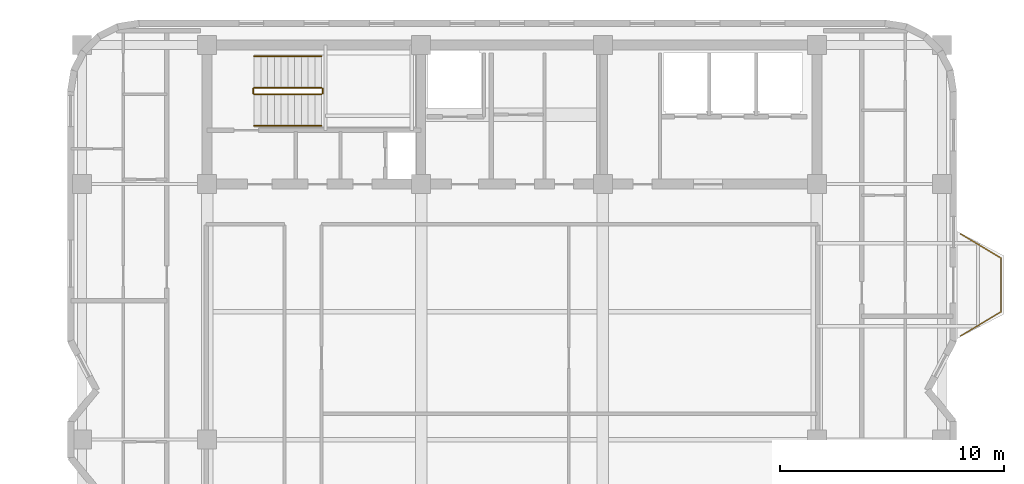
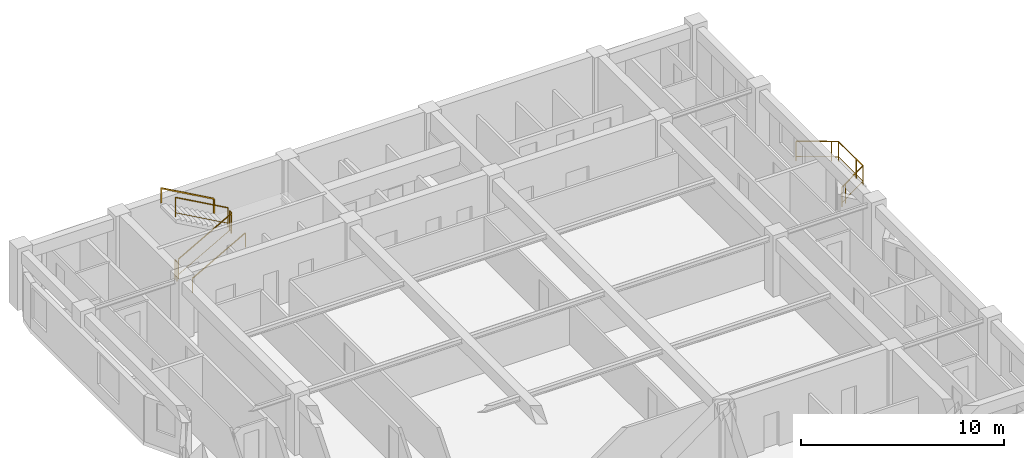
# One storey, part 9 of 9: 7 railings.
"""IFC4 building model written with IfcOpenShell, lengths in metres."""

from ifc_helpers import new_model, si_unit, direction, frame, origin, origin_2d, place, context, subcontext, project, spatial, rectangle, extrude, material, type_object, element, save


model = new_model("IFC4")

# Units and contexts
model_context = context("Model", 3, precision=1e-05, world=origin(), true_north=direction((0.0, 1.0)))
body_context = subcontext(model_context, "Body", "Model", "MODEL_VIEW")
ifc_project = project(units=[si_unit("LENGTHUNIT", "METRE"), si_unit("AREAUNIT", "SQUARE_METRE"), si_unit("VOLUMEUNIT", "CUBIC_METRE"), si_unit("PLANEANGLEUNIT", "RADIAN"), si_unit("MASSUNIT", "GRAM", prefix="KILO")], contexts=[model_context])

# Site, building, storey
site_placement = place(None, origin())
site = spatial("IfcSite", under=ifc_project, at=site_placement, CompositionType="ELEMENT")
building_placement = place(site_placement, origin())
building = spatial("IfcBuilding", under=site, at=building_placement, Name="Svetorya Sky Lyceum", CompositionType="ELEMENT")
storey_placement = place(building_placement, frame((0.0, 0.0, 240.60009765625)))
storey = spatial("IfcBuildingStorey", under=building, at=storey_placement, Name="L60", CompositionType="ELEMENT", Elevation=240.60009765625)

# Railings
ifc_material_1 = material(Name="Laminated safety glass and stainless AISI 316", Category="glass")
railing_type_1 = type_object("IfcRailingType", Name="RL-BAL-1200", PredefinedType="BALUSTRADE", material=ifc_material_1)
railing_1_placement = place(storey_placement, frame((59.2099609375, 37.3798828125, 0.0)))
element("IfcRailing", 1, at=railing_1_placement, inside=storey, type_object=railing_type_1, Name="L60 Balcony Balustrade BAL-E1", PredefinedType="BALUSTRADE", context=body_context, shape_type="SweptSolid", body=[
    extrude(rectangle(XDim=0.048095703125, YDim=0.048095703125, at=origin_2d()), frame((0.0, 0.0, 1.17578125), z_axis=(0.85753397263, -0.514427337711, 0.0), x_axis=(0.514427337711, 0.85753397263, 0.0)), (0.0, 0.0, 1.0), 2.09912109375),
    extrude(rectangle(XDim=0.02392578125, YDim=0.02392578125, at=origin_2d()), frame((0.0, 0.0, 0.25), z_axis=(0.85753397263, -0.514427337711, 0.0), x_axis=(0.514427337711, 0.85753397263, 0.0)), (0.0, 0.0, 1.0), 2.09912109375),
    extrude(rectangle(XDim=0.048095703125, YDim=0.048095703125, at=origin_2d()), frame((1.800048828125, -1.079833984375, 1.17578125), z_axis=(0.0, -1.0, 0.0), x_axis=(1.0, 0.0, 0.0)), (0.0, 0.0, 1.0), 2.400146484375),
    extrude(rectangle(XDim=0.02392578125, YDim=0.02392578125, at=origin_2d()), frame((1.800048828125, -1.079833984375, 0.25), z_axis=(0.0, -1.0, 0.0), x_axis=(1.0, 0.0, 0.0)), (0.0, 0.0, 1.0), 2.400146484375),
    extrude(rectangle(XDim=0.048095703125, YDim=0.048095703125, at=origin_2d()), frame((1.800048828125, -3.47998046875, 1.17578125), z_axis=(-0.85753397263, -0.514427337711, 0.0), x_axis=(0.514427337711, -0.85753397263, 0.0)), (0.0, 0.0, 1.0), 2.09912109375),
    extrude(rectangle(XDim=0.02392578125, YDim=0.02392578125, at=origin_2d()), frame((1.800048828125, -3.47998046875, 0.25), z_axis=(-0.85753397263, -0.514427337711, 0.0), x_axis=(0.514427337711, -0.85753397263, 0.0)), (0.0, 0.0, 1.0), 2.09912109375),
    extrude(rectangle(XDim=0.0419921875, YDim=0.0419921875, at=origin_2d()), origin(), (0.0, 0.0, 1.0), 1.15185546875),
    extrude(rectangle(XDim=0.0419921875, YDim=0.0419921875, at=origin_2d()), frame((1.500732421875, -0.900146484375, 0.0)), (0.0, 0.0, 1.0), 1.15185546875),
    extrude(rectangle(XDim=0.0419921875, YDim=0.0419921875, at=origin_2d()), frame((1.800048828125, -1.079833984375, 0.0)), (0.0, 0.0, 1.0), 1.15185546875),
    extrude(rectangle(XDim=0.0419921875, YDim=0.0419921875, at=origin_2d()), frame((1.800048828125, -2.829833984375, 0.0)), (0.0, 0.0, 1.0), 1.15185546875),
    extrude(rectangle(XDim=0.0419921875, YDim=0.0419921875, at=origin_2d()), frame((1.800048828125, -3.47998046875, 0.0)), (0.0, 0.0, 1.0), 1.15185546875),
    extrude(rectangle(XDim=0.0419921875, YDim=0.0419921875, at=origin_2d()), frame((0.29931640625, -4.380126953125, 0.0)), (0.0, 0.0, 1.0), 1.15185546875),
    extrude(rectangle(XDim=0.0419921875, YDim=0.0419921875, at=origin_2d()), frame((0.0, -4.559814453125, 0.0)), (0.0, 0.0, 1.0), 1.15185546875),
])
ifc_material_2 = material(Name="Painted galvanized stair well guard")
railing_type_2 = type_object("IfcRailingType", Name="RL-STR-GUARD-1200", PredefinedType="GUARDRAIL", material=ifc_material_2)
railing_2_placement = place(storey_placement, frame((27.699951171875, 43.60009765625, 0.16796875)))
element("IfcRailing", 2, at=railing_2_placement, inside=storey, type_object=railing_type_2, Name="L60 ST-N stair guard 1", PredefinedType="GUARDRAIL", context=body_context, shape_type="SweptSolid", body=[
    extrude(rectangle(XDim=0.048095703125, YDim=0.048095703125, at=origin_2d()), frame((0.0, 0.0, 1.17578125), z_axis=(0.872272294576, 0.0, 0.489020494575), x_axis=(0.0, 1.0, 0.0)), (0.0, 0.0, 1.0), 3.439208984375),
    extrude(rectangle(XDim=0.02392578125, YDim=0.02392578125, at=origin_2d()), frame((0.0, 0.0, 0.25), z_axis=(0.872272294576, 0.0, 0.489020494575), x_axis=(0.0, 1.0, 0.0)), (0.0, 0.0, 1.0), 3.439208984375),
    extrude(rectangle(XDim=0.0419921875, YDim=0.0419921875, at=origin_2d()), origin(), (0.0, 0.0, 1.0), 1.15185546875),
    extrude(rectangle(XDim=0.0419921875, YDim=0.0419921875, at=origin_2d()), frame((3.0, 0.0, 1.681884765625)), (0.0, 0.0, 1.0), 1.15185546875),
])
railing_3_placement = place(storey_placement, frame((30.75, 43.64990234375, 1.849853515625)))
element("IfcRailing", 3, at=railing_3_placement, inside=storey, type_object=railing_type_2, Name="L60 ST-N stair guard 2", PredefinedType="GUARDRAIL", context=body_context, shape_type="SweptSolid", body=[
    extrude(rectangle(XDim=0.048095703125, YDim=0.048095703125, at=origin_2d()), frame((0.0, 0.0, 1.17578125), z_axis=(0.0, 1.0, 0.0), x_axis=(-1.0, 0.0, 0.0)), (0.0, 0.0, 1.0), 0.2001953125),
    extrude(rectangle(XDim=0.02392578125, YDim=0.02392578125, at=origin_2d()), frame((0.0, 0.0, 0.25), z_axis=(0.0, 1.0, 0.0), x_axis=(-1.0, 0.0, 0.0)), (0.0, 0.0, 1.0), 0.2001953125),
    extrude(rectangle(XDim=0.0419921875, YDim=0.0419921875, at=origin_2d()), origin(), (0.0, 0.0, 1.0), 1.15185546875),
    extrude(rectangle(XDim=0.0419921875, YDim=0.0419921875, at=origin_2d()), frame((0.0, 0.2001953125, 0.0)), (0.0, 0.0, 1.0), 1.15185546875),
])
railing_4_placement = place(storey_placement, frame((30.699951171875, 43.89990234375, 2.01806640625)))
element("IfcRailing", 4, at=railing_4_placement, inside=storey, type_object=railing_type_2, Name="L60 ST-N stair guard 3", PredefinedType="GUARDRAIL", context=body_context, shape_type="SweptSolid", body=[
    extrude(rectangle(XDim=0.048095703125, YDim=0.048095703125, at=origin_2d()), frame((0.0, 0.0, 1.17578125), z_axis=(-0.872272294576, 0.0, 0.489020494575), x_axis=(0.0, -1.0, 0.0)), (0.0, 0.0, 1.0), 3.439208984375),
    extrude(rectangle(XDim=0.02392578125, YDim=0.02392578125, at=origin_2d()), frame((0.0, 0.0, 0.25), z_axis=(-0.872272294576, 0.0, 0.489020494575), x_axis=(0.0, -1.0, 0.0)), (0.0, 0.0, 1.0), 3.439208984375),
    extrude(rectangle(XDim=0.0419921875, YDim=0.0419921875, at=origin_2d()), origin(), (0.0, 0.0, 1.0), 1.15185546875),
    extrude(rectangle(XDim=0.0419921875, YDim=0.0419921875, at=origin_2d()), frame((-3.0, 0.0, 1.681884765625)), (0.0, 0.0, 1.0), 1.15185546875),
])
railing_5_placement = place(storey_placement, frame((27.64990234375, 43.64990234375, 0.0)))
element("IfcRailing", 5, at=railing_5_placement, inside=storey, type_object=railing_type_2, Name="L60 ST-N stair guard 4", PredefinedType="GUARDRAIL", context=body_context, shape_type="SweptSolid", body=[
    extrude(rectangle(XDim=0.048095703125, YDim=0.048095703125, at=origin_2d()), frame((0.0, 0.0, 1.17578125), z_axis=(0.0, 1.0, 0.0), x_axis=(-1.0, 0.0, 0.0)), (0.0, 0.0, 1.0), 0.2001953125),
    extrude(rectangle(XDim=0.02392578125, YDim=0.02392578125, at=origin_2d()), frame((0.0, 0.0, 0.25), z_axis=(0.0, 1.0, 0.0), x_axis=(-1.0, 0.0, 0.0)), (0.0, 0.0, 1.0), 0.2001953125),
    extrude(rectangle(XDim=0.0419921875, YDim=0.0419921875, at=origin_2d()), origin(), (0.0, 0.0, 1.0), 1.15185546875),
    extrude(rectangle(XDim=0.0419921875, YDim=0.0419921875, at=origin_2d()), frame((0.0, 0.2001953125, 0.0)), (0.0, 0.0, 1.0), 1.15185546875),
])
ifc_material_3 = material(Name="Brushed stainless AISI 304 stair handrail")
railing_type_3 = type_object("IfcRailingType", Name="RL-STR-HAND-920", PredefinedType="HANDRAIL", material=ifc_material_3)
railing_6_placement = place(storey_placement, frame((27.699951171875, 42.199951171875, 0.16796875)))
element("IfcRailing", 6, at=railing_6_placement, inside=storey, type_object=railing_type_3, Name="L60 ST-N stair handrail 1", PredefinedType="HANDRAIL", context=body_context, shape_type="SweptSolid", body=[
    extrude(rectangle(XDim=0.048095703125, YDim=0.048095703125, at=origin_2d()), frame((0.0, 0.0, 0.8759765625), z_axis=(0.872272294576, 0.0, 0.489020494575), x_axis=(0.0, 1.0, 0.0)), (0.0, 0.0, 1.0), 3.439208984375),
    extrude(rectangle(XDim=0.0419921875, YDim=0.0419921875, at=origin_2d()), origin(), (0.0, 0.0, 1.0), 0.851806640625),
    extrude(rectangle(XDim=0.0419921875, YDim=0.0419921875, at=origin_2d()), frame((3.0, 0.0, 1.681884765625)), (0.0, 0.0, 1.0), 0.851806640625),
])
railing_7_placement = place(storey_placement, frame((30.699951171875, 45.300048828125, 2.01806640625)))
element("IfcRailing", 7, at=railing_7_placement, inside=storey, type_object=railing_type_3, Name="L60 ST-N stair handrail 2", PredefinedType="HANDRAIL", context=body_context, shape_type="SweptSolid", body=[
    extrude(rectangle(XDim=0.048095703125, YDim=0.048095703125, at=origin_2d()), frame((0.0, 0.0, 0.8759765625), z_axis=(-0.872272294576, 0.0, 0.489020494575), x_axis=(0.0, -1.0, 0.0)), (0.0, 0.0, 1.0), 3.439208984375),
    extrude(rectangle(XDim=0.0419921875, YDim=0.0419921875, at=origin_2d()), origin(), (0.0, 0.0, 1.0), 0.851806640625),
    extrude(rectangle(XDim=0.0419921875, YDim=0.0419921875, at=origin_2d()), frame((-3.0, 0.0, 1.681884765625)), (0.0, 0.0, 1.0), 0.851806640625),
])

save(model, "model.ifc")
